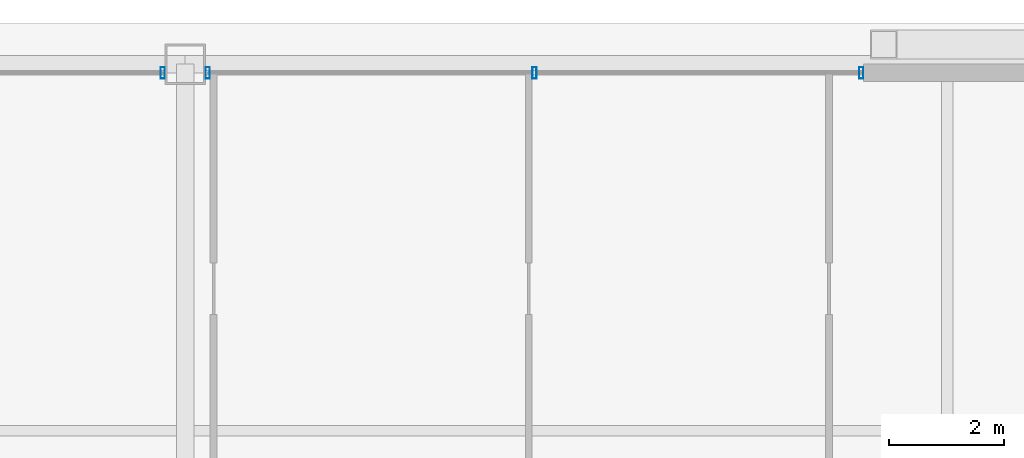
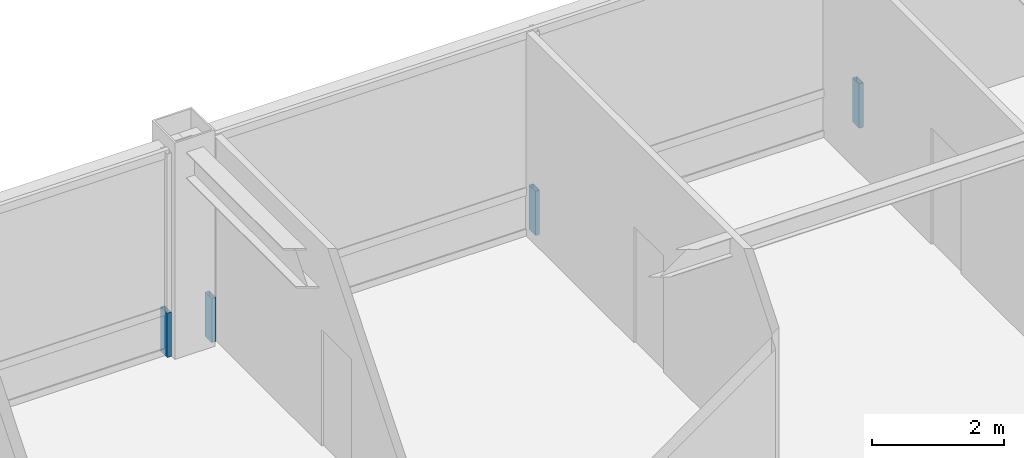
# One storey, part 27 of 35: 4 members, 2 elements without a shape of their own.
"""IFC4 building model written with IfcOpenShell, lengths in metres."""

from ifc_helpers import new_model, si_unit, direction, frame, origin, origin_2d, place, context, subcontext, project, spatial, hollow_rectangle, extrude, source, transform, mapped, material, layer, layer_set, material_profile, profile_set, type_object, element, aggregate, save


model = new_model("IFC4")

# Units and contexts
model_context = context("Model", 3, precision=1e-05, world=origin(), true_north=direction((0.0, 1.0)))
body_context = subcontext(model_context, "Body", "Model", "MODEL_VIEW")
ifc_project = project(units=[si_unit("LENGTHUNIT", "METRE"), si_unit("AREAUNIT", "SQUARE_METRE"), si_unit("VOLUMEUNIT", "CUBIC_METRE"), si_unit("PLANEANGLEUNIT", "RADIAN"), si_unit("MASSUNIT", "GRAM", prefix="KILO"), si_unit("THERMODYNAMICTEMPERATUREUNIT", "KELVIN"), si_unit("POWERUNIT", "WATT")], contexts=[model_context])

# Site, building, storey
site_placement = place(None, origin())
site = spatial("IfcSite", under=ifc_project, at=site_placement, CompositionType="ELEMENT")
building_placement = place(site_placement, origin())
building = spatial("IfcBuilding", under=site, at=building_placement, Name="Yuzanri Waterfront Tower", CompositionType="ELEMENT")
storey_placement = place(building_placement, frame((0.0, 0.0, 343.199951171875)))
storey = spatial("IfcBuildingStorey", under=building, at=storey_placement, Name="L92", CompositionType="ELEMENT", Elevation=343.199951171875)

# Curtain wall, member
ifc_material_1 = material(Name="Anodized Architectural Bronze", Category="metal")
ifc_layer = layer(ifc_material_1, 0.159912109375)
ifc_layer_set = layer_set([ifc_layer], Name="Anodized Architectural Bronze")
curtain_wall_type = type_object("IfcCurtainWallType", Name="Anodized Bronze High-Rise Penthouse High-Wind Unitized Curtain Wall 6900", PredefinedType="NOTDEFINED", material=ifc_layer_set)
curtain_wall_1_placement = place(storey_placement, origin())
curtain_wall_1 = element("IfcCurtainWall", 1, at=curtain_wall_1_placement, inside=storey, type_object=curtain_wall_type, Name="L92 Curtain Wall CW-L92-NL", PredefinedType="NOTDEFINED")
ifc_material_2 = material(Name="Anodized Architectural Bronze", Category="metal")
ifc_material_profile = material_profile(ifc_material_2, hollow_rectangle(XDim=0.074951171875, YDim=0.199951171875, WallThickness=0.00390625, at=origin_2d()), Name="CWM 75x200")
ifc_profile_set = profile_set([ifc_material_profile], Name="Anodized Architectural Bronze")
member_type = type_object("IfcMemberType", Name="Anodized Bronze Primary Curtain-Wall Mullion 75x200", PredefinedType="MULLION", material=ifc_profile_set)
shared_shape = source(origin(), body_context, "Body", "SweptSolid", [
    extrude(hollow_rectangle(XDim=0.074951171875, YDim=0.199951171875, WallThickness=0.00390625, at=origin_2d()), origin(), (0.0, 0.0, 1.0), 0.818115234375),
])
member_1_placement = place(storey_placement, frame((36.610107421875, 44.75, 0.0), z_axis=(0.0, 0.0, 1.0), x_axis=(1.0, 0.0, 0.0)))
member_1 = element("IfcMember", 2, at=member_1_placement, type_object=member_type, Name="CW-L92-NL Lower Mullion 02", PredefinedType="MULLION", context=body_context, shape_type="MappedRepresentation", body=[
    mapped(shared_shape, transform((0.0, 0.0, 0.0), scale=1.0)),
])
aggregate(curtain_wall_1, [member_1])

# Curtain wall, members
curtain_wall_2_placement = place(storey_placement, origin())
curtain_wall_2 = element("IfcCurtainWall", 3, at=curtain_wall_2_placement, inside=storey, type_object=curtain_wall_type, Name="L92 Curtain Wall CW-L92-NR", PredefinedType="NOTDEFINED")
member_2_placement = place(storey_placement, frame((37.389892578125, 44.75, 0.0), z_axis=(0.0, 0.0, 1.0), x_axis=(1.0, 0.0, 0.0)))
member_2 = element("IfcMember", 4, at=member_2_placement, type_object=member_type, Name="CW-L92-NR Lower Mullion 00", PredefinedType="MULLION", context=body_context, shape_type="MappedRepresentation", body=[
    mapped(shared_shape, transform((0.0, 0.0, 0.0), scale=1.0)),
])
member_3_placement = place(storey_placement, frame((43.050048828125, 44.75, 0.0), z_axis=(0.0, 0.0, 1.0), x_axis=(1.0, 0.0, 0.0)))
member_3 = element("IfcMember", 5, at=member_3_placement, type_object=member_type, Name="CW-L92-NR Lower Mullion 01", PredefinedType="MULLION", context=body_context, shape_type="MappedRepresentation", body=[
    mapped(shared_shape, transform((0.0, 0.0, 0.0), scale=1.0)),
])
member_4_placement = place(storey_placement, frame((48.7099609375, 44.75, 0.0), z_axis=(0.0, 0.0, 1.0), x_axis=(1.0, 0.0, 0.0)))
member_4 = element("IfcMember", 6, at=member_4_placement, type_object=member_type, Name="CW-L92-NR Lower Mullion 02", PredefinedType="MULLION", context=body_context, shape_type="MappedRepresentation", body=[
    mapped(shared_shape, transform((0.0, 0.0, 0.0), scale=1.0)),
])
aggregate(curtain_wall_2, [member_2, member_3, member_4])

save(model, "model.ifc")
